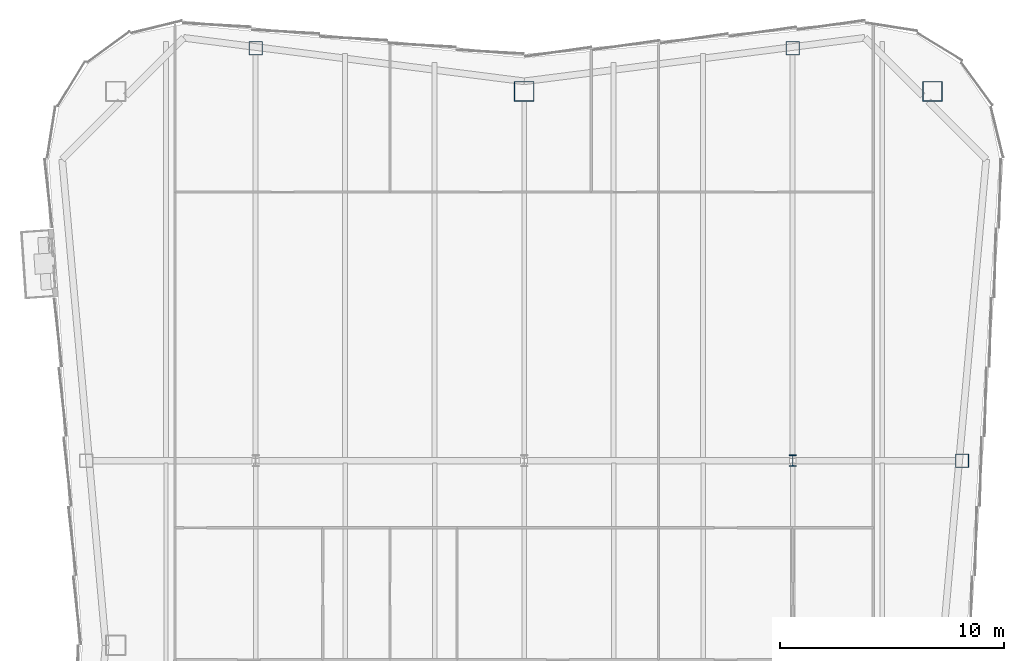
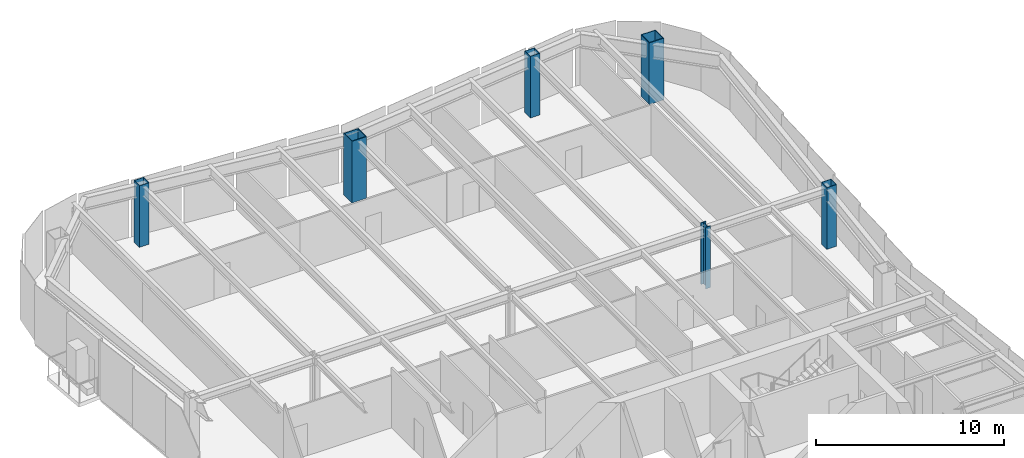
# One storey, part 2 of 11: 6 columns.
"""IFC4 building model written with IfcOpenShell, lengths in metres."""

from ifc_helpers import new_model, si_unit, direction, frame, origin, origin_2d, place, context, subcontext, project, spatial, hollow_rectangle, i_section, extrude, material, material_profile, profile_set, type_object, element, save


model = new_model("IFC4")

# Units and contexts
model_context = context("Model", 3, precision=1e-05, world=origin(), true_north=direction((0.0, 1.0)))
body_context = subcontext(model_context, "Body", "Model", "MODEL_VIEW")
ifc_project = project(units=[si_unit("LENGTHUNIT", "METRE"), si_unit("AREAUNIT", "SQUARE_METRE"), si_unit("VOLUMEUNIT", "CUBIC_METRE"), si_unit("PLANEANGLEUNIT", "RADIAN"), si_unit("MASSUNIT", "GRAM", prefix="KILO")], contexts=[model_context])

# Site, building, storey
site_placement = place(None, origin())
site = spatial("IfcSite", under=ifc_project, at=site_placement, CompositionType="ELEMENT")
building_placement = place(site_placement, origin())
building = spatial("IfcBuilding", under=site, at=building_placement, Name="Verdant Reach Tower", CompositionType="ELEMENT")
storey_placement = place(building_placement, frame((0.0, 0.0, 314.0)))
storey = spatial("IfcBuildingStorey", under=building, at=storey_placement, Name="L72", CompositionType="ELEMENT", Elevation=314.0)

# Columns
ifc_material = material(Name="Steel S460", Category="steel")
ifc_material_profile_1 = material_profile(ifc_material, i_section(OverallWidth=0.305908203125, OverallDepth=0.52392578125, WebThickness=0.012451171875, FlangeThickness=0.0400390625, FilletRadius=0.027099609375, at=origin_2d()), Name="HEM 500")
ifc_profile_set_1 = profile_set([ifc_material_profile_1], Name="Steel S460")
column_type_1 = type_object("IfcColumnType", Name="ST-COL-HEM500", PredefinedType="COLUMN", material=ifc_profile_set_1)
column_placement = place(storey_placement, frame((12.0, 49.5, 0.0), z_axis=(0.0, 0.0, 1.0), x_axis=(1.0, 0.0, 0.0)))
element("IfcColumn", 1, at=column_placement, inside=storey, type_object=column_type_1, Name="Interior column 3, L72", PredefinedType="COLUMN", context=body_context, shape_type="SweptSolid", body=[
    extrude(i_section(OverallWidth=0.305908203125, OverallDepth=0.52392578125, WebThickness=0.012451171875, FlangeThickness=0.0400390625, FilletRadius=0.027099609375, at=origin_2d()), origin(), (0.0, 0.0, 1.0), 4.0),
])
ifc_material_profile_2 = material_profile(ifc_material, hollow_rectangle(XDim=0.60009765625, YDim=0.60009765625, WallThickness=0.02490234375, at=origin_2d()), Name="WB 600x600x25")
ifc_profile_set_2 = profile_set([ifc_material_profile_2], Name="Steel S460")
column_type_2 = type_object("IfcColumnType", Name="ST-COL-WB600x600x25", PredefinedType="COLUMN", material=ifc_profile_set_2)
for number, where, z_axis, x_axis, name in (
    (2, (-12.0, 67.930419921875, 0.0), (0.0, 0.0, 1.0), (1.0, 0.0, 0.0), "Perimeter column north 1, L72"),
    (3, (12.0, 67.930419921875, 0.0), (0.0, 0.0, 1.0), (1.0, 0.0, 0.0), "Perimeter column north 2, L72"),
    (4, (19.569091796875, 49.5, 0.0), (0.0, 0.0, 1.0), (1.0, 0.0, 0.0), "Perimeter column east 2, L72"),
):
    element("IfcColumn", number, at=place(storey_placement, frame(where, z_axis=z_axis, x_axis=x_axis)), inside=storey, type_object=column_type_2, Name=name, PredefinedType="COLUMN", context=body_context, shape_type="SweptSolid", body=[
        extrude(hollow_rectangle(XDim=0.60009765625, YDim=0.60009765625, WallThickness=0.02490234375, at=origin_2d()), origin(), (0.0, 0.0, 1.0), 4.0),
    ])
ifc_material_profile_3 = material_profile(ifc_material, hollow_rectangle(XDim=0.89990234375, YDim=0.89990234375, WallThickness=0.0400390625, at=origin_2d()), Name="WB 900x900x40")
ifc_profile_set_3 = profile_set([ifc_material_profile_3], Name="Steel S460")
column_type_3 = type_object("IfcColumnType", Name="ST-COL-WB900x900x40", PredefinedType="COLUMN", material=ifc_profile_set_3)
for number, where, z_axis, x_axis, name in (
    (5, (0.0, 66.0, 0.0), (0.0, 0.0, 1.0), (1.0, 0.0, 0.0), "Mega column north, L72"),
    (6, (18.25, 66.0, 0.0), (0.0, 0.0, 1.0), (1.0, 0.0, 0.0), "Mega column north-east, L72"),
):
    element("IfcColumn", number, at=place(storey_placement, frame(where, z_axis=z_axis, x_axis=x_axis)), inside=storey, type_object=column_type_3, Name=name, PredefinedType="COLUMN", context=body_context, shape_type="SweptSolid", body=[
        extrude(hollow_rectangle(XDim=0.89990234375, YDim=0.89990234375, WallThickness=0.0400390625, at=origin_2d()), origin(), (0.0, 0.0, 1.0), 4.0),
    ])

save(model, "model.ifc")
